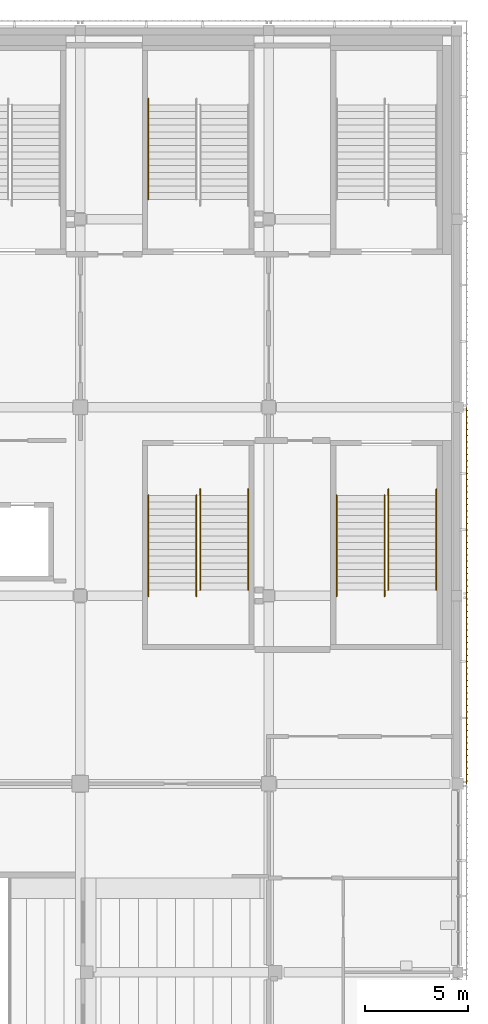
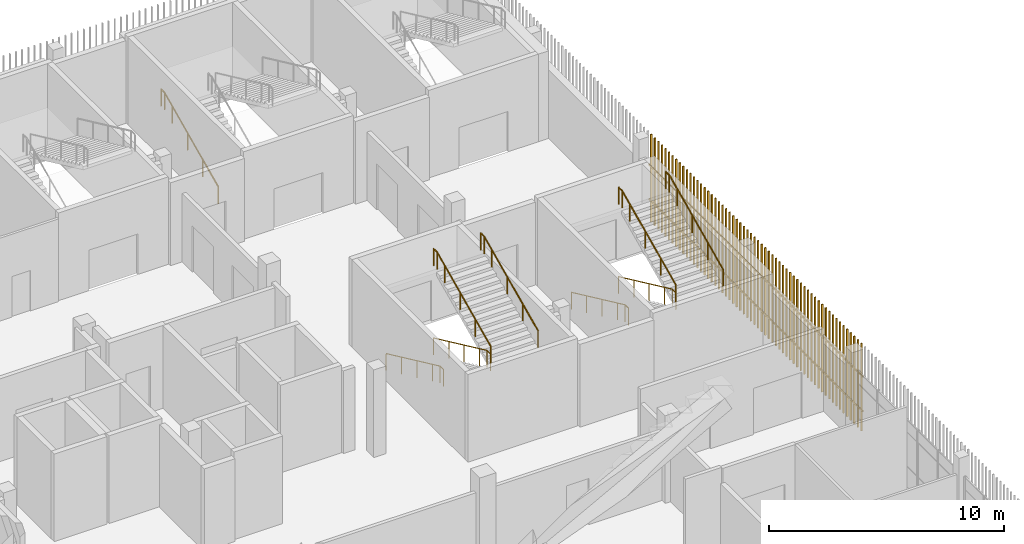
# One storey, part 134 of 139: 9 railings, 2 shading devices.
"""IFC4 building model written with IfcOpenShell, lengths in metres."""

from ifc_helpers import new_model, si_unit, direction, frame, origin, origin_2d, place, context, subcontext, project, spatial, rectangle, circle, extrude, material, type_object, element, save


model = new_model("IFC4")

# Units and contexts
model_context = context("Model", 3, precision=1e-05, world=origin(), true_north=direction((0.0, 1.0)))
body_context = subcontext(model_context, "Body", "Model", "MODEL_VIEW")
ifc_project = project(units=[si_unit("LENGTHUNIT", "METRE"), si_unit("AREAUNIT", "SQUARE_METRE"), si_unit("VOLUMEUNIT", "CUBIC_METRE"), si_unit("PLANEANGLEUNIT", "RADIAN"), si_unit("MASSUNIT", "GRAM", prefix="KILO")], contexts=[model_context])

# Site, building, storey
site_placement = place(None, origin())
site = spatial("IfcSite", under=ifc_project, at=site_placement, CompositionType="ELEMENT")
building_placement = place(site_placement, origin())
building = spatial("IfcBuilding", under=site, at=building_placement, Name="Shirokan Park Arena", CompositionType="ELEMENT")
storey_placement = place(building_placement, frame((0.0, 0.0, 15.469970703125)))
storey = spatial("IfcBuildingStorey", under=building, at=storey_placement, Name="L03", CompositionType="ELEMENT", Elevation=15.469970703125)

# Railings
ifc_material_1 = material(Name="Stainless steel", Category="steel")
railing_type = type_object("IfcRailingType", Name="Stair handrail 900", PredefinedType="HANDRAIL", material=ifc_material_1)
railing_1_placement = place(storey_placement, frame((130.68994140625, 101.050048828125, 0.151611328125)))
element("IfcRailing", 1, at=railing_1_placement, inside=storey, type_object=railing_type, Name="Handrail Exit Stair 3.B L03 to L04", PredefinedType="HANDRAIL", context=body_context, shape_type="SweptSolid", body=[
    extrude(circle(Radius=0.02392578125, at=origin_2d()), frame((0.0, 0.0, 0.8759765625), z_axis=(0.0, 0.906999720516, 0.421131222998), x_axis=(-1.0, 0.0, 0.0)), (0.0, 0.0, 1.0), 1.440673828125),
    extrude(circle(Radius=0.02392578125, at=origin_2d()), frame((0.0, 1.306640625, 1.482421875), z_axis=(0.0, 0.907029769225, 0.421066500378), x_axis=(-1.0, 0.0, 0.0)), (0.0, 0.0, 1.0), 1.44091796875),
    extrude(circle(Radius=0.02392578125, at=origin_2d()), frame((0.0, 2.613525390625, 2.08935546875), z_axis=(0.0, 0.907029769225, 0.421066500378), x_axis=(-1.0, 0.0, 0.0)), (0.0, 0.0, 1.0), 1.44091796875),
    extrude(circle(Radius=0.02392578125, at=origin_2d()), frame((0.0, 3.92041015625, 2.69580078125), z_axis=(0.0, 0.906934982928, 0.421270621741), x_axis=(-1.0, 0.0, 0.0)), (0.0, 0.0, 1.0), 0.720458984375),
    extrude(circle(Radius=0.02392578125, at=origin_2d()), frame((0.0, 4.57373046875, 2.99951171875), z_axis=(0.0, 1.0, 0.0), x_axis=(-1.0, 0.0, 0.0)), (0.0, 0.0, 1.0), 0.300048828125),
    extrude(circle(Radius=0.02099609375, at=origin_2d()), origin(), (0.0, 0.0, 1.0), 0.851806640625),
    extrude(circle(Radius=0.02099609375, at=origin_2d()), frame((0.0, 1.306640625, 0.606689453125)), (0.0, 0.0, 1.0), 0.851806640625),
    extrude(circle(Radius=0.02099609375, at=origin_2d()), frame((0.0, 2.613525390625, 1.21337890625)), (0.0, 0.0, 1.0), 0.851806640625),
    extrude(circle(Radius=0.02099609375, at=origin_2d()), frame((0.0, 3.92041015625, 1.820068359375)), (0.0, 0.0, 1.0), 0.851806640625),
    extrude(circle(Radius=0.02099609375, at=origin_2d()), frame((0.0, 4.57373046875, 2.12353515625)), (0.0, 0.0, 1.0), 0.851806640625),
    extrude(circle(Radius=0.02099609375, at=origin_2d()), frame((0.0, 4.873779296875, 2.12353515625)), (0.0, 0.0, 1.0), 0.851806640625),
])
railing_2_placement = place(storey_placement, frame((139.7900390625, 86.75, 0.151611328125)))
element("IfcRailing", 2, at=railing_2_placement, inside=storey, type_object=railing_type, Name="Handrail Exit Stair 3.E L03 to L04", PredefinedType="HANDRAIL", context=body_context, shape_type="SweptSolid", body=[
    extrude(circle(Radius=0.02392578125, at=origin_2d()), frame((0.0, 0.0, 0.8759765625), z_axis=(0.0, -0.907029769225, 0.421066500378), x_axis=(1.0, 0.0, 0.0)), (0.0, 0.0, 1.0), 1.44091796875),
    extrude(circle(Radius=0.02392578125, at=origin_2d()), frame((0.0, -1.306884765625, 1.482421875), z_axis=(0.0, -0.906999720516, 0.421131222998), x_axis=(1.0, 0.0, 0.0)), (0.0, 0.0, 1.0), 1.440673828125),
    extrude(circle(Radius=0.02392578125, at=origin_2d()), frame((0.0, -2.613525390625, 2.08935546875), z_axis=(0.0, -0.907029769225, 0.421066500378), x_axis=(1.0, 0.0, 0.0)), (0.0, 0.0, 1.0), 1.44091796875),
    extrude(circle(Radius=0.02392578125, at=origin_2d()), frame((0.0, -3.92041015625, 2.69580078125), z_axis=(0.0, -0.906934982928, 0.421270621741), x_axis=(1.0, 0.0, 0.0)), (0.0, 0.0, 1.0), 0.720458984375),
    extrude(circle(Radius=0.02392578125, at=origin_2d()), frame((0.0, -4.57373046875, 2.99951171875), z_axis=(0.0, -1.0, 0.0), x_axis=(1.0, 0.0, 0.0)), (0.0, 0.0, 1.0), 0.300048828125),
    extrude(circle(Radius=0.02099609375, at=origin_2d()), origin(), (0.0, 0.0, 1.0), 0.851806640625),
    extrude(circle(Radius=0.02099609375, at=origin_2d()), frame((0.0, -1.306884765625, 0.606689453125)), (0.0, 0.0, 1.0), 0.851806640625),
    extrude(circle(Radius=0.02099609375, at=origin_2d()), frame((0.0, -2.613525390625, 1.21337890625)), (0.0, 0.0, 1.0), 0.851806640625),
    extrude(circle(Radius=0.02099609375, at=origin_2d()), frame((0.0, -3.92041015625, 1.820068359375)), (0.0, 0.0, 1.0), 0.851806640625),
    extrude(circle(Radius=0.02099609375, at=origin_2d()), frame((0.0, -4.57373046875, 2.12353515625)), (0.0, 0.0, 1.0), 0.851806640625),
    extrude(circle(Radius=0.02099609375, at=origin_2d()), frame((0.0, -4.873779296875, 2.12353515625)), (0.0, 0.0, 1.0), 0.851806640625),
])
railing_3_placement = place(storey_placement, frame((142.110107421875, 86.75, 0.151611328125)))
element("IfcRailing", 3, at=railing_3_placement, inside=storey, type_object=railing_type, Name="Handrail Exit Stair 3.E L03 to L04", PredefinedType="HANDRAIL", context=body_context, shape_type="SweptSolid", body=[
    extrude(circle(Radius=0.02392578125, at=origin_2d()), frame((0.0, 0.0, 0.8759765625), z_axis=(0.0, -0.907029769225, 0.421066500378), x_axis=(1.0, 0.0, 0.0)), (0.0, 0.0, 1.0), 1.44091796875),
    extrude(circle(Radius=0.02392578125, at=origin_2d()), frame((0.0, -1.306884765625, 1.482421875), z_axis=(0.0, -0.906999720516, 0.421131222998), x_axis=(1.0, 0.0, 0.0)), (0.0, 0.0, 1.0), 1.440673828125),
    extrude(circle(Radius=0.02392578125, at=origin_2d()), frame((0.0, -2.613525390625, 2.08935546875), z_axis=(0.0, -0.907029769225, 0.421066500378), x_axis=(1.0, 0.0, 0.0)), (0.0, 0.0, 1.0), 1.44091796875),
    extrude(circle(Radius=0.02392578125, at=origin_2d()), frame((0.0, -3.92041015625, 2.69580078125), z_axis=(0.0, -0.906934982928, 0.421270621741), x_axis=(1.0, 0.0, 0.0)), (0.0, 0.0, 1.0), 0.720458984375),
    extrude(circle(Radius=0.02392578125, at=origin_2d()), frame((0.0, -4.57373046875, 2.99951171875), z_axis=(0.0, -1.0, 0.0), x_axis=(1.0, 0.0, 0.0)), (0.0, 0.0, 1.0), 0.300048828125),
    extrude(circle(Radius=0.02099609375, at=origin_2d()), origin(), (0.0, 0.0, 1.0), 0.851806640625),
    extrude(circle(Radius=0.02099609375, at=origin_2d()), frame((0.0, -1.306884765625, 0.606689453125)), (0.0, 0.0, 1.0), 0.851806640625),
    extrude(circle(Radius=0.02099609375, at=origin_2d()), frame((0.0, -2.613525390625, 1.21337890625)), (0.0, 0.0, 1.0), 0.851806640625),
    extrude(circle(Radius=0.02099609375, at=origin_2d()), frame((0.0, -3.92041015625, 1.820068359375)), (0.0, 0.0, 1.0), 0.851806640625),
    extrude(circle(Radius=0.02099609375, at=origin_2d()), frame((0.0, -4.57373046875, 2.12353515625)), (0.0, 0.0, 1.0), 0.851806640625),
    extrude(circle(Radius=0.02099609375, at=origin_2d()), frame((0.0, -4.873779296875, 2.12353515625)), (0.0, 0.0, 1.0), 0.851806640625),
])
railing_4_placement = place(storey_placement, frame((142.2900390625, 82.17626953125, 2.4267578125)))
element("IfcRailing", 4, at=railing_4_placement, inside=storey, type_object=railing_type, Name="Handrail Exit Stair 3.E L03 to L04", PredefinedType="HANDRAIL", context=body_context, shape_type="SweptSolid", body=[
    extrude(circle(Radius=0.02392578125, at=origin_2d()), frame((0.0, 0.0, 0.8759765625), z_axis=(0.0, 0.906999720516, 0.421131222998), x_axis=(-1.0, 0.0, 0.0)), (0.0, 0.0, 1.0), 1.440673828125),
    extrude(circle(Radius=0.02392578125, at=origin_2d()), frame((0.0, 1.306640625, 1.482421875), z_axis=(0.0, 0.907029769225, 0.421066500378), x_axis=(-1.0, 0.0, 0.0)), (0.0, 0.0, 1.0), 1.44091796875),
    extrude(circle(Radius=0.02392578125, at=origin_2d()), frame((0.0, 2.613525390625, 2.08935546875), z_axis=(0.0, 0.907094476872, 0.420927083981), x_axis=(-1.0, 0.0, 0.0)), (0.0, 0.0, 1.0), 1.440673828125),
    extrude(circle(Radius=0.02392578125, at=origin_2d()), frame((0.0, 3.92041015625, 2.69580078125), z_axis=(0.0, 0.906934982928, 0.421270621741), x_axis=(-1.0, 0.0, 0.0)), (0.0, 0.0, 1.0), 0.720458984375),
    extrude(circle(Radius=0.02392578125, at=origin_2d()), frame((0.0, 4.57373046875, 2.9990234375), z_axis=(0.0, 1.0, 0.0), x_axis=(-1.0, 0.0, 0.0)), (0.0, 0.0, 1.0), 0.300048828125),
    extrude(circle(Radius=0.02099609375, at=origin_2d()), origin(), (0.0, 0.0, 1.0), 0.851806640625),
    extrude(circle(Radius=0.02099609375, at=origin_2d()), frame((0.0, 1.306640625, 0.606689453125)), (0.0, 0.0, 1.0), 0.851806640625),
    extrude(circle(Radius=0.02099609375, at=origin_2d()), frame((0.0, 2.613525390625, 1.21337890625)), (0.0, 0.0, 1.0), 0.851806640625),
    extrude(circle(Radius=0.02099609375, at=origin_2d()), frame((0.0, 3.92041015625, 1.81982421875)), (0.0, 0.0, 1.0), 0.851806640625),
    extrude(circle(Radius=0.02099609375, at=origin_2d()), frame((0.0, 4.57373046875, 2.123291015625)), (0.0, 0.0, 1.0), 0.851806640625),
    extrude(circle(Radius=0.02099609375, at=origin_2d()), frame((0.0, 4.873779296875, 2.123291015625)), (0.0, 0.0, 1.0), 0.851806640625),
])
railing_5_placement = place(storey_placement, frame((144.610107421875, 82.17626953125, 2.4267578125)))
element("IfcRailing", 5, at=railing_5_placement, inside=storey, type_object=railing_type, Name="Handrail Exit Stair 3.E L03 to L04", PredefinedType="HANDRAIL", context=body_context, shape_type="SweptSolid", body=[
    extrude(circle(Radius=0.02392578125, at=origin_2d()), frame((0.0, 0.0, 0.8759765625), z_axis=(0.0, 0.906999720516, 0.421131222998), x_axis=(-1.0, 0.0, 0.0)), (0.0, 0.0, 1.0), 1.440673828125),
    extrude(circle(Radius=0.02392578125, at=origin_2d()), frame((0.0, 1.306640625, 1.482421875), z_axis=(0.0, 0.907029769225, 0.421066500378), x_axis=(-1.0, 0.0, 0.0)), (0.0, 0.0, 1.0), 1.44091796875),
    extrude(circle(Radius=0.02392578125, at=origin_2d()), frame((0.0, 2.613525390625, 2.08935546875), z_axis=(0.0, 0.907094476872, 0.420927083981), x_axis=(-1.0, 0.0, 0.0)), (0.0, 0.0, 1.0), 1.440673828125),
    extrude(circle(Radius=0.02392578125, at=origin_2d()), frame((0.0, 3.92041015625, 2.69580078125), z_axis=(0.0, 0.906934982928, 0.421270621741), x_axis=(-1.0, 0.0, 0.0)), (0.0, 0.0, 1.0), 0.720458984375),
    extrude(circle(Radius=0.02392578125, at=origin_2d()), frame((0.0, 4.57373046875, 2.9990234375), z_axis=(0.0, 1.0, 0.0), x_axis=(-1.0, 0.0, 0.0)), (0.0, 0.0, 1.0), 0.300048828125),
    extrude(circle(Radius=0.02099609375, at=origin_2d()), origin(), (0.0, 0.0, 1.0), 0.851806640625),
    extrude(circle(Radius=0.02099609375, at=origin_2d()), frame((0.0, 1.306640625, 0.606689453125)), (0.0, 0.0, 1.0), 0.851806640625),
    extrude(circle(Radius=0.02099609375, at=origin_2d()), frame((0.0, 2.613525390625, 1.21337890625)), (0.0, 0.0, 1.0), 0.851806640625),
    extrude(circle(Radius=0.02099609375, at=origin_2d()), frame((0.0, 3.92041015625, 1.81982421875)), (0.0, 0.0, 1.0), 0.851806640625),
    extrude(circle(Radius=0.02099609375, at=origin_2d()), frame((0.0, 4.57373046875, 2.123291015625)), (0.0, 0.0, 1.0), 0.851806640625),
    extrude(circle(Radius=0.02099609375, at=origin_2d()), frame((0.0, 4.873779296875, 2.123291015625)), (0.0, 0.0, 1.0), 0.851806640625),
])
railing_6_placement = place(storey_placement, frame((130.68994140625, 86.75, 0.151611328125)))
element("IfcRailing", 6, at=railing_6_placement, inside=storey, type_object=railing_type, Name="Handrail Exit Stair 3.F L03 to L04", PredefinedType="HANDRAIL", context=body_context, shape_type="SweptSolid", body=[
    extrude(circle(Radius=0.02392578125, at=origin_2d()), frame((0.0, 0.0, 0.8759765625), z_axis=(0.0, -0.907029769225, 0.421066500378), x_axis=(1.0, 0.0, 0.0)), (0.0, 0.0, 1.0), 1.44091796875),
    extrude(circle(Radius=0.02392578125, at=origin_2d()), frame((0.0, -1.306884765625, 1.482421875), z_axis=(0.0, -0.906999720516, 0.421131222998), x_axis=(1.0, 0.0, 0.0)), (0.0, 0.0, 1.0), 1.440673828125),
    extrude(circle(Radius=0.02392578125, at=origin_2d()), frame((0.0, -2.613525390625, 2.08935546875), z_axis=(0.0, -0.907029769225, 0.421066500378), x_axis=(1.0, 0.0, 0.0)), (0.0, 0.0, 1.0), 1.44091796875),
    extrude(circle(Radius=0.02392578125, at=origin_2d()), frame((0.0, -3.92041015625, 2.69580078125), z_axis=(0.0, -0.906934982928, 0.421270621741), x_axis=(1.0, 0.0, 0.0)), (0.0, 0.0, 1.0), 0.720458984375),
    extrude(circle(Radius=0.02392578125, at=origin_2d()), frame((0.0, -4.57373046875, 2.99951171875), z_axis=(0.0, -1.0, 0.0), x_axis=(1.0, 0.0, 0.0)), (0.0, 0.0, 1.0), 0.300048828125),
    extrude(circle(Radius=0.02099609375, at=origin_2d()), origin(), (0.0, 0.0, 1.0), 0.851806640625),
    extrude(circle(Radius=0.02099609375, at=origin_2d()), frame((0.0, -1.306884765625, 0.606689453125)), (0.0, 0.0, 1.0), 0.851806640625),
    extrude(circle(Radius=0.02099609375, at=origin_2d()), frame((0.0, -2.613525390625, 1.21337890625)), (0.0, 0.0, 1.0), 0.851806640625),
    extrude(circle(Radius=0.02099609375, at=origin_2d()), frame((0.0, -3.92041015625, 1.820068359375)), (0.0, 0.0, 1.0), 0.851806640625),
    extrude(circle(Radius=0.02099609375, at=origin_2d()), frame((0.0, -4.57373046875, 2.12353515625)), (0.0, 0.0, 1.0), 0.851806640625),
    extrude(circle(Radius=0.02099609375, at=origin_2d()), frame((0.0, -4.873779296875, 2.12353515625)), (0.0, 0.0, 1.0), 0.851806640625),
])
railing_7_placement = place(storey_placement, frame((133.010009765625, 86.75, 0.151611328125)))
element("IfcRailing", 7, at=railing_7_placement, inside=storey, type_object=railing_type, Name="Handrail Exit Stair 3.F L03 to L04", PredefinedType="HANDRAIL", context=body_context, shape_type="SweptSolid", body=[
    extrude(circle(Radius=0.02392578125, at=origin_2d()), frame((0.0, 0.0, 0.8759765625), z_axis=(0.0, -0.907029769225, 0.421066500378), x_axis=(1.0, 0.0, 0.0)), (0.0, 0.0, 1.0), 1.44091796875),
    extrude(circle(Radius=0.02392578125, at=origin_2d()), frame((0.0, -1.306884765625, 1.482421875), z_axis=(0.0, -0.906999720516, 0.421131222998), x_axis=(1.0, 0.0, 0.0)), (0.0, 0.0, 1.0), 1.440673828125),
    extrude(circle(Radius=0.02392578125, at=origin_2d()), frame((0.0, -2.613525390625, 2.08935546875), z_axis=(0.0, -0.907029769225, 0.421066500378), x_axis=(1.0, 0.0, 0.0)), (0.0, 0.0, 1.0), 1.44091796875),
    extrude(circle(Radius=0.02392578125, at=origin_2d()), frame((0.0, -3.92041015625, 2.69580078125), z_axis=(0.0, -0.906934982928, 0.421270621741), x_axis=(1.0, 0.0, 0.0)), (0.0, 0.0, 1.0), 0.720458984375),
    extrude(circle(Radius=0.02392578125, at=origin_2d()), frame((0.0, -4.57373046875, 2.99951171875), z_axis=(0.0, -1.0, 0.0), x_axis=(1.0, 0.0, 0.0)), (0.0, 0.0, 1.0), 0.300048828125),
    extrude(circle(Radius=0.02099609375, at=origin_2d()), origin(), (0.0, 0.0, 1.0), 0.851806640625),
    extrude(circle(Radius=0.02099609375, at=origin_2d()), frame((0.0, -1.306884765625, 0.606689453125)), (0.0, 0.0, 1.0), 0.851806640625),
    extrude(circle(Radius=0.02099609375, at=origin_2d()), frame((0.0, -2.613525390625, 1.21337890625)), (0.0, 0.0, 1.0), 0.851806640625),
    extrude(circle(Radius=0.02099609375, at=origin_2d()), frame((0.0, -3.92041015625, 1.820068359375)), (0.0, 0.0, 1.0), 0.851806640625),
    extrude(circle(Radius=0.02099609375, at=origin_2d()), frame((0.0, -4.57373046875, 2.12353515625)), (0.0, 0.0, 1.0), 0.851806640625),
    extrude(circle(Radius=0.02099609375, at=origin_2d()), frame((0.0, -4.873779296875, 2.12353515625)), (0.0, 0.0, 1.0), 0.851806640625),
])
railing_8_placement = place(storey_placement, frame((133.18994140625, 82.17626953125, 2.4267578125)))
element("IfcRailing", 8, at=railing_8_placement, inside=storey, type_object=railing_type, Name="Handrail Exit Stair 3.F L03 to L04", PredefinedType="HANDRAIL", context=body_context, shape_type="SweptSolid", body=[
    extrude(circle(Radius=0.02392578125, at=origin_2d()), frame((0.0, 0.0, 0.8759765625), z_axis=(0.0, 0.906999720516, 0.421131222998), x_axis=(-1.0, 0.0, 0.0)), (0.0, 0.0, 1.0), 1.440673828125),
    extrude(circle(Radius=0.02392578125, at=origin_2d()), frame((0.0, 1.306640625, 1.482421875), z_axis=(0.0, 0.907029769225, 0.421066500378), x_axis=(-1.0, 0.0, 0.0)), (0.0, 0.0, 1.0), 1.44091796875),
    extrude(circle(Radius=0.02392578125, at=origin_2d()), frame((0.0, 2.613525390625, 2.08935546875), z_axis=(0.0, 0.907094476872, 0.420927083981), x_axis=(-1.0, 0.0, 0.0)), (0.0, 0.0, 1.0), 1.440673828125),
    extrude(circle(Radius=0.02392578125, at=origin_2d()), frame((0.0, 3.92041015625, 2.69580078125), z_axis=(0.0, 0.906934982928, 0.421270621741), x_axis=(-1.0, 0.0, 0.0)), (0.0, 0.0, 1.0), 0.720458984375),
    extrude(circle(Radius=0.02392578125, at=origin_2d()), frame((0.0, 4.57373046875, 2.9990234375), z_axis=(0.0, 1.0, 0.0), x_axis=(-1.0, 0.0, 0.0)), (0.0, 0.0, 1.0), 0.300048828125),
    extrude(circle(Radius=0.02099609375, at=origin_2d()), origin(), (0.0, 0.0, 1.0), 0.851806640625),
    extrude(circle(Radius=0.02099609375, at=origin_2d()), frame((0.0, 1.306640625, 0.606689453125)), (0.0, 0.0, 1.0), 0.851806640625),
    extrude(circle(Radius=0.02099609375, at=origin_2d()), frame((0.0, 2.613525390625, 1.21337890625)), (0.0, 0.0, 1.0), 0.851806640625),
    extrude(circle(Radius=0.02099609375, at=origin_2d()), frame((0.0, 3.92041015625, 1.81982421875)), (0.0, 0.0, 1.0), 0.851806640625),
    extrude(circle(Radius=0.02099609375, at=origin_2d()), frame((0.0, 4.57373046875, 2.123291015625)), (0.0, 0.0, 1.0), 0.851806640625),
    extrude(circle(Radius=0.02099609375, at=origin_2d()), frame((0.0, 4.873779296875, 2.123291015625)), (0.0, 0.0, 1.0), 0.851806640625),
])
railing_9_placement = place(storey_placement, frame((135.510009765625, 82.17626953125, 2.4267578125)))
element("IfcRailing", 9, at=railing_9_placement, inside=storey, type_object=railing_type, Name="Handrail Exit Stair 3.F L03 to L04", PredefinedType="HANDRAIL", context=body_context, shape_type="SweptSolid", body=[
    extrude(circle(Radius=0.02392578125, at=origin_2d()), frame((0.0, 0.0, 0.8759765625), z_axis=(0.0, 0.906999720516, 0.421131222998), x_axis=(-1.0, 0.0, 0.0)), (0.0, 0.0, 1.0), 1.440673828125),
    extrude(circle(Radius=0.02392578125, at=origin_2d()), frame((0.0, 1.306640625, 1.482421875), z_axis=(0.0, 0.907029769225, 0.421066500378), x_axis=(-1.0, 0.0, 0.0)), (0.0, 0.0, 1.0), 1.44091796875),
    extrude(circle(Radius=0.02392578125, at=origin_2d()), frame((0.0, 2.613525390625, 2.08935546875), z_axis=(0.0, 0.907094476872, 0.420927083981), x_axis=(-1.0, 0.0, 0.0)), (0.0, 0.0, 1.0), 1.440673828125),
    extrude(circle(Radius=0.02392578125, at=origin_2d()), frame((0.0, 3.92041015625, 2.69580078125), z_axis=(0.0, 0.906934982928, 0.421270621741), x_axis=(-1.0, 0.0, 0.0)), (0.0, 0.0, 1.0), 0.720458984375),
    extrude(circle(Radius=0.02392578125, at=origin_2d()), frame((0.0, 4.57373046875, 2.9990234375), z_axis=(0.0, 1.0, 0.0), x_axis=(-1.0, 0.0, 0.0)), (0.0, 0.0, 1.0), 0.300048828125),
    extrude(circle(Radius=0.02099609375, at=origin_2d()), origin(), (0.0, 0.0, 1.0), 0.851806640625),
    extrude(circle(Radius=0.02099609375, at=origin_2d()), frame((0.0, 1.306640625, 0.606689453125)), (0.0, 0.0, 1.0), 0.851806640625),
    extrude(circle(Radius=0.02099609375, at=origin_2d()), frame((0.0, 2.613525390625, 1.21337890625)), (0.0, 0.0, 1.0), 0.851806640625),
    extrude(circle(Radius=0.02099609375, at=origin_2d()), frame((0.0, 3.92041015625, 1.81982421875)), (0.0, 0.0, 1.0), 0.851806640625),
    extrude(circle(Radius=0.02099609375, at=origin_2d()), frame((0.0, 4.57373046875, 2.123291015625)), (0.0, 0.0, 1.0), 0.851806640625),
    extrude(circle(Radius=0.02099609375, at=origin_2d()), frame((0.0, 4.873779296875, 2.123291015625)), (0.0, 0.0, 1.0), 0.851806640625),
])

# Shading devices
ifc_material_2 = material(Name="Timber louvre veil (cedar)", Category="wood")
shading_device_type = type_object("IfcShadingDeviceType", Name="Timber louvre veil panel", PredefinedType="JALOUSIE", material=ifc_material_2)
shading_device_1_placement = place(storey_placement, origin())
element("IfcShadingDevice", 10, at=shading_device_1_placement, inside=storey, type_object=shading_device_type, Name="Timber louvre veil east bay 9 L03", PredefinedType="JALOUSIE", context=body_context, shape_type="SweptSolid", body=[
    extrude(rectangle(XDim=0.050048828125, YDim=0.080078125, at=origin_2d()), frame((146.0849609375, 72.95166015625, 0.0), z_axis=(0.0, 0.0, 1.0), x_axis=(0.0, 1.0, 0.0)), (0.0, 0.0, 1.0), 4.550048828125),
    extrude(rectangle(XDim=0.050048828125, YDim=0.080078125, at=origin_2d()), frame((146.0849609375, 73.2548828125, 0.0), z_axis=(0.0, 0.0, 1.0), x_axis=(0.0, 1.0, 0.0)), (0.0, 0.0, 1.0), 4.550048828125),
    extrude(rectangle(XDim=0.050048828125, YDim=0.080078125, at=origin_2d()), frame((146.0849609375, 73.558349609375, 0.0), z_axis=(0.0, 0.0, 1.0), x_axis=(0.0, 1.0, 0.0)), (0.0, 0.0, 1.0), 4.550048828125),
    extrude(rectangle(XDim=0.050048828125, YDim=0.080078125, at=origin_2d()), frame((146.0849609375, 73.861572265625, 0.0), z_axis=(0.0, 0.0, 1.0), x_axis=(0.0, 1.0, 0.0)), (0.0, 0.0, 1.0), 4.550048828125),
    extrude(rectangle(XDim=0.050048828125, YDim=0.080078125, at=origin_2d()), frame((146.0849609375, 74.1650390625, 0.0), z_axis=(0.0, 0.0, 1.0), x_axis=(0.0, 1.0, 0.0)), (0.0, 0.0, 1.0), 4.550048828125),
    extrude(rectangle(XDim=0.050048828125, YDim=0.080078125, at=origin_2d()), frame((146.0849609375, 74.46826171875, 0.0), z_axis=(0.0, 0.0, 1.0), x_axis=(0.0, 1.0, 0.0)), (0.0, 0.0, 1.0), 4.550048828125),
    extrude(rectangle(XDim=0.050048828125, YDim=0.080078125, at=origin_2d()), frame((146.0849609375, 74.771728515625, 0.0), z_axis=(0.0, 0.0, 1.0), x_axis=(0.0, 1.0, 0.0)), (0.0, 0.0, 1.0), 4.550048828125),
    extrude(rectangle(XDim=0.050048828125, YDim=0.080078125, at=origin_2d()), frame((146.0849609375, 75.074951171875, 0.0), z_axis=(0.0, 0.0, 1.0), x_axis=(0.0, 1.0, 0.0)), (0.0, 0.0, 1.0), 4.550048828125),
    extrude(rectangle(XDim=0.050048828125, YDim=0.080078125, at=origin_2d()), frame((146.0849609375, 75.37841796875, 0.0), z_axis=(0.0, 0.0, 1.0), x_axis=(0.0, 1.0, 0.0)), (0.0, 0.0, 1.0), 4.550048828125),
    extrude(rectangle(XDim=0.050048828125, YDim=0.080078125, at=origin_2d()), frame((146.0849609375, 75.681640625, 0.0), z_axis=(0.0, 0.0, 1.0), x_axis=(0.0, 1.0, 0.0)), (0.0, 0.0, 1.0), 4.550048828125),
    extrude(rectangle(XDim=0.050048828125, YDim=0.080078125, at=origin_2d()), frame((146.0849609375, 75.985107421875, 0.0), z_axis=(0.0, 0.0, 1.0), x_axis=(0.0, 1.0, 0.0)), (0.0, 0.0, 1.0), 4.550048828125),
    extrude(rectangle(XDim=0.050048828125, YDim=0.080078125, at=origin_2d()), frame((146.0849609375, 76.288330078125, 0.0), z_axis=(0.0, 0.0, 1.0), x_axis=(0.0, 1.0, 0.0)), (0.0, 0.0, 1.0), 4.550048828125),
    extrude(rectangle(XDim=0.050048828125, YDim=0.080078125, at=origin_2d()), frame((146.0849609375, 76.591552734375, 0.0), z_axis=(0.0, 0.0, 1.0), x_axis=(0.0, 1.0, 0.0)), (0.0, 0.0, 1.0), 4.550048828125),
    extrude(rectangle(XDim=0.050048828125, YDim=0.080078125, at=origin_2d()), frame((146.0849609375, 76.89501953125, 0.0), z_axis=(0.0, 0.0, 1.0), x_axis=(0.0, 1.0, 0.0)), (0.0, 0.0, 1.0), 4.550048828125),
    extrude(rectangle(XDim=0.050048828125, YDim=0.080078125, at=origin_2d()), frame((146.0849609375, 77.1982421875, 0.0), z_axis=(0.0, 0.0, 1.0), x_axis=(0.0, 1.0, 0.0)), (0.0, 0.0, 1.0), 4.550048828125),
    extrude(rectangle(XDim=0.050048828125, YDim=0.080078125, at=origin_2d()), frame((146.0849609375, 77.501708984375, 0.0), z_axis=(0.0, 0.0, 1.0), x_axis=(0.0, 1.0, 0.0)), (0.0, 0.0, 1.0), 4.550048828125),
    extrude(rectangle(XDim=0.050048828125, YDim=0.080078125, at=origin_2d()), frame((146.0849609375, 77.804931640625, 0.0), z_axis=(0.0, 0.0, 1.0), x_axis=(0.0, 1.0, 0.0)), (0.0, 0.0, 1.0), 4.550048828125),
    extrude(rectangle(XDim=0.050048828125, YDim=0.080078125, at=origin_2d()), frame((146.0849609375, 78.1083984375, 0.0), z_axis=(0.0, 0.0, 1.0), x_axis=(0.0, 1.0, 0.0)), (0.0, 0.0, 1.0), 4.550048828125),
    extrude(rectangle(XDim=0.050048828125, YDim=0.080078125, at=origin_2d()), frame((146.0849609375, 78.41162109375, 0.0), z_axis=(0.0, 0.0, 1.0), x_axis=(0.0, 1.0, 0.0)), (0.0, 0.0, 1.0), 4.550048828125),
    extrude(rectangle(XDim=0.050048828125, YDim=0.080078125, at=origin_2d()), frame((146.0849609375, 78.715087890625, 0.0), z_axis=(0.0, 0.0, 1.0), x_axis=(0.0, 1.0, 0.0)), (0.0, 0.0, 1.0), 4.550048828125),
    extrude(rectangle(XDim=0.050048828125, YDim=0.080078125, at=origin_2d()), frame((146.0849609375, 79.018310546875, 0.0), z_axis=(0.0, 0.0, 1.0), x_axis=(0.0, 1.0, 0.0)), (0.0, 0.0, 1.0), 4.550048828125),
    extrude(rectangle(XDim=0.050048828125, YDim=0.080078125, at=origin_2d()), frame((146.0849609375, 79.32177734375, 0.0), z_axis=(0.0, 0.0, 1.0), x_axis=(0.0, 1.0, 0.0)), (0.0, 0.0, 1.0), 4.550048828125),
    extrude(rectangle(XDim=0.050048828125, YDim=0.080078125, at=origin_2d()), frame((146.0849609375, 79.625, 0.0), z_axis=(0.0, 0.0, 1.0), x_axis=(0.0, 1.0, 0.0)), (0.0, 0.0, 1.0), 4.550048828125),
    extrude(rectangle(XDim=0.050048828125, YDim=0.080078125, at=origin_2d()), frame((146.0849609375, 79.92822265625, 0.0), z_axis=(0.0, 0.0, 1.0), x_axis=(0.0, 1.0, 0.0)), (0.0, 0.0, 1.0), 4.550048828125),
    extrude(rectangle(XDim=0.050048828125, YDim=0.080078125, at=origin_2d()), frame((146.0849609375, 80.231689453125, 0.0), z_axis=(0.0, 0.0, 1.0), x_axis=(0.0, 1.0, 0.0)), (0.0, 0.0, 1.0), 4.550048828125),
    extrude(rectangle(XDim=0.050048828125, YDim=0.080078125, at=origin_2d()), frame((146.0849609375, 80.534912109375, 0.0), z_axis=(0.0, 0.0, 1.0), x_axis=(0.0, 1.0, 0.0)), (0.0, 0.0, 1.0), 4.550048828125),
    extrude(rectangle(XDim=0.050048828125, YDim=0.080078125, at=origin_2d()), frame((146.0849609375, 80.83837890625, 0.0), z_axis=(0.0, 0.0, 1.0), x_axis=(0.0, 1.0, 0.0)), (0.0, 0.0, 1.0), 4.550048828125),
    extrude(rectangle(XDim=0.050048828125, YDim=0.080078125, at=origin_2d()), frame((146.0849609375, 81.1416015625, 0.0), z_axis=(0.0, 0.0, 1.0), x_axis=(0.0, 1.0, 0.0)), (0.0, 0.0, 1.0), 4.550048828125),
    extrude(rectangle(XDim=0.050048828125, YDim=0.080078125, at=origin_2d()), frame((146.0849609375, 81.445068359375, 0.0), z_axis=(0.0, 0.0, 1.0), x_axis=(0.0, 1.0, 0.0)), (0.0, 0.0, 1.0), 4.550048828125),
    extrude(rectangle(XDim=0.050048828125, YDim=0.080078125, at=origin_2d()), frame((146.0849609375, 81.748291015625, 0.0), z_axis=(0.0, 0.0, 1.0), x_axis=(0.0, 1.0, 0.0)), (0.0, 0.0, 1.0), 4.550048828125),
    extrude(rectangle(XDim=9.10009765625, YDim=0.050048828125, at=origin_2d()), frame((146.070068359375, 77.35009765625, 1.06005859375), z_axis=(0.0, 0.0, 1.0), x_axis=(0.0, 1.0, 0.0)), (0.0, 0.0, 1.0), 0.080078125),
    extrude(rectangle(XDim=9.10009765625, YDim=0.050048828125, at=origin_2d()), frame((146.070068359375, 77.35009765625, 2.860107421875), z_axis=(0.0, 0.0, 1.0), x_axis=(0.0, 1.0, 0.0)), (0.0, 0.0, 1.0), 0.080078125),
])
shading_device_2_placement = place(storey_placement, origin())
element("IfcShadingDevice", 11, at=shading_device_2_placement, inside=storey, type_object=shading_device_type, Name="Timber louvre veil east bay 10 L03", PredefinedType="JALOUSIE", context=body_context, shape_type="SweptSolid", body=[
    extrude(rectangle(XDim=0.050048828125, YDim=0.080078125, at=origin_2d()), frame((146.0849609375, 82.0517578125, 0.0), z_axis=(0.0, 0.0, 1.0), x_axis=(0.0, 1.0, 0.0)), (0.0, 0.0, 1.0), 4.550048828125),
    extrude(rectangle(XDim=0.050048828125, YDim=0.080078125, at=origin_2d()), frame((146.0849609375, 82.35498046875, 0.0), z_axis=(0.0, 0.0, 1.0), x_axis=(0.0, 1.0, 0.0)), (0.0, 0.0, 1.0), 4.550048828125),
    extrude(rectangle(XDim=0.050048828125, YDim=0.080078125, at=origin_2d()), frame((146.0849609375, 82.658447265625, 0.0), z_axis=(0.0, 0.0, 1.0), x_axis=(0.0, 1.0, 0.0)), (0.0, 0.0, 1.0), 4.550048828125),
    extrude(rectangle(XDim=0.050048828125, YDim=0.080078125, at=origin_2d()), frame((146.0849609375, 82.961669921875, 0.0), z_axis=(0.0, 0.0, 1.0), x_axis=(0.0, 1.0, 0.0)), (0.0, 0.0, 1.0), 4.550048828125),
    extrude(rectangle(XDim=0.050048828125, YDim=0.080078125, at=origin_2d()), frame((146.0849609375, 83.264892578125, 0.0), z_axis=(0.0, 0.0, 1.0), x_axis=(0.0, 1.0, 0.0)), (0.0, 0.0, 1.0), 4.550048828125),
    extrude(rectangle(XDim=0.050048828125, YDim=0.080078125, at=origin_2d()), frame((146.0849609375, 83.568359375, 0.0), z_axis=(0.0, 0.0, 1.0), x_axis=(0.0, 1.0, 0.0)), (0.0, 0.0, 1.0), 4.550048828125),
    extrude(rectangle(XDim=0.050048828125, YDim=0.080078125, at=origin_2d()), frame((146.0849609375, 83.87158203125, 0.0), z_axis=(0.0, 0.0, 1.0), x_axis=(0.0, 1.0, 0.0)), (0.0, 0.0, 1.0), 4.550048828125),
    extrude(rectangle(XDim=0.050048828125, YDim=0.080078125, at=origin_2d()), frame((146.0849609375, 84.175048828125, 0.0), z_axis=(0.0, 0.0, 1.0), x_axis=(0.0, 1.0, 0.0)), (0.0, 0.0, 1.0), 4.550048828125),
    extrude(rectangle(XDim=0.050048828125, YDim=0.080078125, at=origin_2d()), frame((146.0849609375, 84.478271484375, 0.0), z_axis=(0.0, 0.0, 1.0), x_axis=(0.0, 1.0, 0.0)), (0.0, 0.0, 1.0), 4.550048828125),
    extrude(rectangle(XDim=0.050048828125, YDim=0.080078125, at=origin_2d()), frame((146.0849609375, 84.78173828125, 0.0), z_axis=(0.0, 0.0, 1.0), x_axis=(0.0, 1.0, 0.0)), (0.0, 0.0, 1.0), 4.550048828125),
    extrude(rectangle(XDim=0.050048828125, YDim=0.080078125, at=origin_2d()), frame((146.0849609375, 85.0849609375, 0.0), z_axis=(0.0, 0.0, 1.0), x_axis=(0.0, 1.0, 0.0)), (0.0, 0.0, 1.0), 4.550048828125),
    extrude(rectangle(XDim=0.050048828125, YDim=0.080078125, at=origin_2d()), frame((146.0849609375, 85.388427734375, 0.0), z_axis=(0.0, 0.0, 1.0), x_axis=(0.0, 1.0, 0.0)), (0.0, 0.0, 1.0), 4.550048828125),
    extrude(rectangle(XDim=0.050048828125, YDim=0.080078125, at=origin_2d()), frame((146.0849609375, 85.691650390625, 0.0), z_axis=(0.0, 0.0, 1.0), x_axis=(0.0, 1.0, 0.0)), (0.0, 0.0, 1.0), 4.550048828125),
    extrude(rectangle(XDim=0.050048828125, YDim=0.080078125, at=origin_2d()), frame((146.0849609375, 85.9951171875, 0.0), z_axis=(0.0, 0.0, 1.0), x_axis=(0.0, 1.0, 0.0)), (0.0, 0.0, 1.0), 4.550048828125),
    extrude(rectangle(XDim=0.050048828125, YDim=0.080078125, at=origin_2d()), frame((146.0849609375, 86.29833984375, 0.0), z_axis=(0.0, 0.0, 1.0), x_axis=(0.0, 1.0, 0.0)), (0.0, 0.0, 1.0), 4.550048828125),
    extrude(rectangle(XDim=0.050048828125, YDim=0.080078125, at=origin_2d()), frame((146.0849609375, 86.6015625, 0.0), z_axis=(0.0, 0.0, 1.0), x_axis=(0.0, 1.0, 0.0)), (0.0, 0.0, 1.0), 4.550048828125),
    extrude(rectangle(XDim=0.050048828125, YDim=0.080078125, at=origin_2d()), frame((146.0849609375, 86.905029296875, 0.0), z_axis=(0.0, 0.0, 1.0), x_axis=(0.0, 1.0, 0.0)), (0.0, 0.0, 1.0), 4.550048828125),
    extrude(rectangle(XDim=0.050048828125, YDim=0.080078125, at=origin_2d()), frame((146.0849609375, 87.208251953125, 0.0), z_axis=(0.0, 0.0, 1.0), x_axis=(0.0, 1.0, 0.0)), (0.0, 0.0, 1.0), 4.550048828125),
    extrude(rectangle(XDim=0.050048828125, YDim=0.080078125, at=origin_2d()), frame((146.0849609375, 87.51171875, 0.0), z_axis=(0.0, 0.0, 1.0), x_axis=(0.0, 1.0, 0.0)), (0.0, 0.0, 1.0), 4.550048828125),
    extrude(rectangle(XDim=0.050048828125, YDim=0.080078125, at=origin_2d()), frame((146.0849609375, 87.81494140625, 0.0), z_axis=(0.0, 0.0, 1.0), x_axis=(0.0, 1.0, 0.0)), (0.0, 0.0, 1.0), 4.550048828125),
    extrude(rectangle(XDim=0.050048828125, YDim=0.080078125, at=origin_2d()), frame((146.0849609375, 88.118408203125, 0.0), z_axis=(0.0, 0.0, 1.0), x_axis=(0.0, 1.0, 0.0)), (0.0, 0.0, 1.0), 4.550048828125),
    extrude(rectangle(XDim=0.050048828125, YDim=0.080078125, at=origin_2d()), frame((146.0849609375, 88.421630859375, 0.0), z_axis=(0.0, 0.0, 1.0), x_axis=(0.0, 1.0, 0.0)), (0.0, 0.0, 1.0), 4.550048828125),
    extrude(rectangle(XDim=0.050048828125, YDim=0.080078125, at=origin_2d()), frame((146.0849609375, 88.72509765625, 0.0), z_axis=(0.0, 0.0, 1.0), x_axis=(0.0, 1.0, 0.0)), (0.0, 0.0, 1.0), 4.550048828125),
    extrude(rectangle(XDim=0.050048828125, YDim=0.080078125, at=origin_2d()), frame((146.0849609375, 89.0283203125, 0.0), z_axis=(0.0, 0.0, 1.0), x_axis=(0.0, 1.0, 0.0)), (0.0, 0.0, 1.0), 4.550048828125),
    extrude(rectangle(XDim=0.050048828125, YDim=0.080078125, at=origin_2d()), frame((146.0849609375, 89.331787109375, 0.0), z_axis=(0.0, 0.0, 1.0), x_axis=(0.0, 1.0, 0.0)), (0.0, 0.0, 1.0), 4.550048828125),
    extrude(rectangle(XDim=0.050048828125, YDim=0.080078125, at=origin_2d()), frame((146.0849609375, 89.635009765625, 0.0), z_axis=(0.0, 0.0, 1.0), x_axis=(0.0, 1.0, 0.0)), (0.0, 0.0, 1.0), 4.550048828125),
    extrude(rectangle(XDim=0.050048828125, YDim=0.080078125, at=origin_2d()), frame((146.0849609375, 89.938232421875, 0.0), z_axis=(0.0, 0.0, 1.0), x_axis=(0.0, 1.0, 0.0)), (0.0, 0.0, 1.0), 4.550048828125),
    extrude(rectangle(XDim=0.050048828125, YDim=0.080078125, at=origin_2d()), frame((146.0849609375, 90.24169921875, 0.0), z_axis=(0.0, 0.0, 1.0), x_axis=(0.0, 1.0, 0.0)), (0.0, 0.0, 1.0), 4.550048828125),
    extrude(rectangle(XDim=0.050048828125, YDim=0.080078125, at=origin_2d()), frame((146.0849609375, 90.544921875, 0.0), z_axis=(0.0, 0.0, 1.0), x_axis=(0.0, 1.0, 0.0)), (0.0, 0.0, 1.0), 4.550048828125),
    extrude(rectangle(XDim=0.050048828125, YDim=0.080078125, at=origin_2d()), frame((146.0849609375, 90.848388671875, 0.0), z_axis=(0.0, 0.0, 1.0), x_axis=(0.0, 1.0, 0.0)), (0.0, 0.0, 1.0), 4.550048828125),
    extrude(rectangle(XDim=9.10009765625, YDim=0.050048828125, at=origin_2d()), frame((146.070068359375, 86.449951171875, 1.06005859375), z_axis=(0.0, 0.0, 1.0), x_axis=(0.0, 1.0, 0.0)), (0.0, 0.0, 1.0), 0.080078125),
    extrude(rectangle(XDim=9.10009765625, YDim=0.050048828125, at=origin_2d()), frame((146.070068359375, 86.449951171875, 2.860107421875), z_axis=(0.0, 0.0, 1.0), x_axis=(0.0, 1.0, 0.0)), (0.0, 0.0, 1.0), 0.080078125),
])

save(model, "model.ifc")
